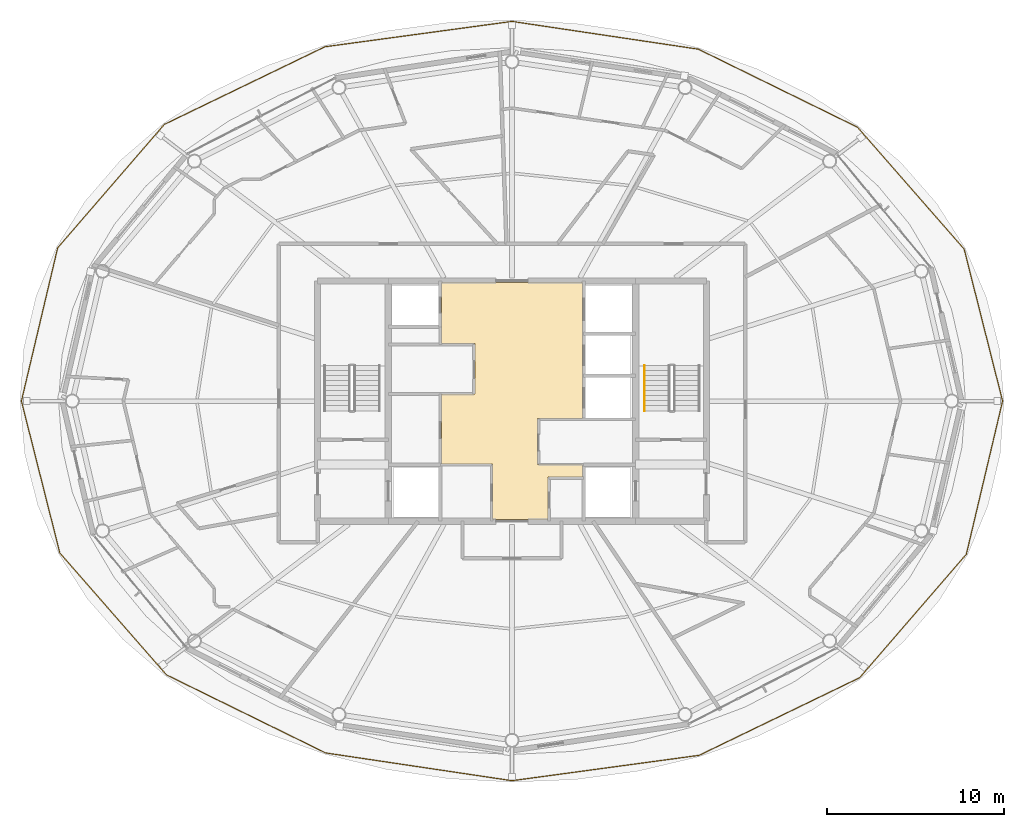
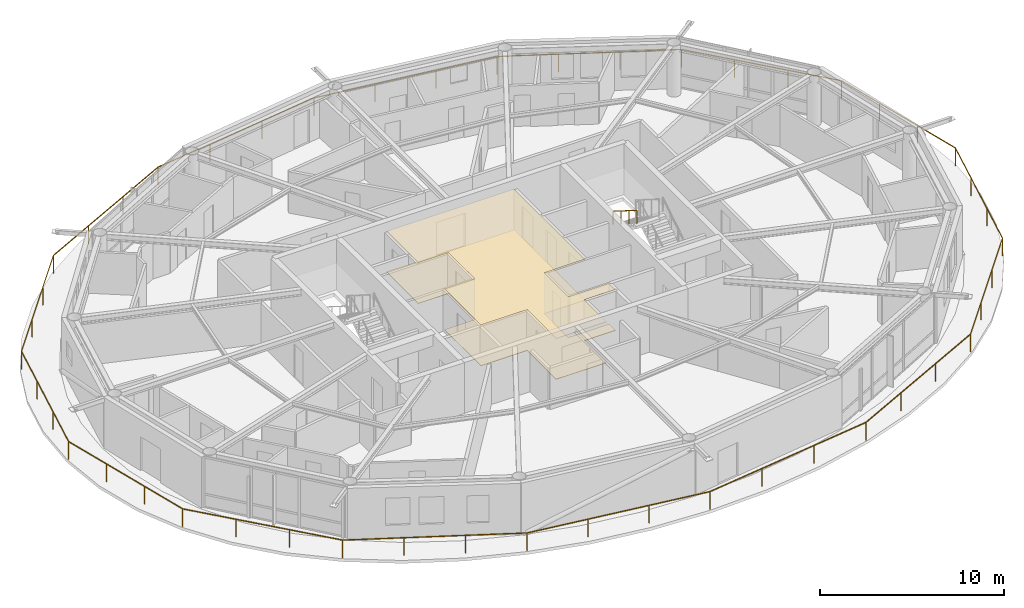
# One storey, part 21 of 22: 2 coverings, 2 railings.
"""IFC4 building model written with IfcOpenShell, lengths in metres."""

from ifc_helpers import new_model, si_unit, direction, frame, origin, origin_2d, place, context, subcontext, project, spatial, polyline, rectangle, outline, extrude, material, layer, layer_set, type_object, element, save


model = new_model("IFC4")

# Units and contexts
model_context = context("Model", 3, precision=1e-05, world=origin(), true_north=direction((0.0, 1.0)))
body_context = subcontext(model_context, "Body", "Model", "MODEL_VIEW")
ifc_project = project(units=[si_unit("LENGTHUNIT", "METRE"), si_unit("AREAUNIT", "SQUARE_METRE"), si_unit("VOLUMEUNIT", "CUBIC_METRE"), si_unit("PLANEANGLEUNIT", "RADIAN"), si_unit("MASSUNIT", "GRAM", prefix="KILO")], contexts=[model_context])

# Site, building, storey
site_placement = place(None, origin())
site = spatial("IfcSite", under=ifc_project, at=site_placement, CompositionType="ELEMENT")
building_placement = place(site_placement, origin())
building = spatial("IfcBuilding", under=site, at=building_placement, Name="Sarneth Arch Tower", CompositionType="ELEMENT")
storey_placement = place(building_placement, frame((0.0, 0.0, 287.39990234375)))
storey = spatial("IfcBuildingStorey", under=building, at=storey_placement, Name="L74", CompositionType="ELEMENT", Elevation=287.39990234375)

# Coverings
ifc_material_1 = material(Name="Perforated acoustic gypsum ceiling board")
ifc_layer_1 = layer(ifc_material_1, 0.02490234375)
ifc_layer_set_1 = layer_set([ifc_layer_1], Name="Perforated acoustic gypsum ceiling board")
covering_type_1 = type_object("IfcCoveringType", Name="COV-CEIL-GYP", PredefinedType="CEILING", material=ifc_layer_set_1)
covering_1_placement = place(storey_placement, frame((0.0, 0.0, 2.7001953125)))
element("IfcCovering", 1, at=covering_1_placement, inside=storey, type_object=covering_type_1, Name="L74 Lift lobby acoustic ceiling", PredefinedType="CEILING", context=body_context, shape_type="SweptSolid", body=[
    extrude(outline(polyline([(52.0, 41.0), (49.449951171875, 41.0), (49.449951171875, 38.39990234375), (52.0, 38.39990234375), (52.0, 37.699951171875), (50.050048828125, 37.699951171875), (50.050048828125, 35.300048828125), (46.89990234375, 35.300048828125), (46.89990234375, 38.449951171875), (44.0, 38.449951171875), (44.0, 42.39990234375), (45.89990234375, 42.39990234375), (45.89990234375, 45.25), (44.0, 45.25), (44.0, 48.699951171875), (52.0, 48.699951171875), (52.0, 41.0)])), origin(), (0.0, 0.0, 1.0), 0.02978515625),
])
ifc_material_2 = material(Name="Honed granite stone flooring", Category="masonry")
ifc_layer_2 = layer(ifc_material_2, 0.030029296875)
ifc_layer_set_2 = layer_set([ifc_layer_2], Name="Honed granite stone flooring")
covering_type_2 = type_object("IfcCoveringType", Name="COV-FLR-STONE", PredefinedType="FLOORING", material=ifc_layer_set_2)
covering_2_placement = place(storey_placement, origin())
element("IfcCovering", 2, at=covering_2_placement, inside=storey, type_object=covering_type_2, Name="L74 Lift lobby granite flooring", PredefinedType="FLOORING", context=body_context, shape_type="SweptSolid", body=[
    extrude(outline(polyline([(52.0, 41.0), (49.449951171875, 41.0), (49.449951171875, 38.39990234375), (52.0, 38.39990234375), (52.0, 37.699951171875), (50.050048828125, 37.699951171875), (50.050048828125, 35.300048828125), (46.89990234375, 35.300048828125), (46.89990234375, 38.449951171875), (44.0, 38.449951171875), (44.0, 42.39990234375), (45.89990234375, 42.39990234375), (45.89990234375, 45.25), (44.0, 45.25), (44.0, 48.699951171875), (52.0, 48.699951171875), (52.0, 41.0)])), origin(), (0.0, 0.0, 1.0), 0.030029296875),
])

# Railings
ifc_material_3 = material(Name="Laminated structural glass infill with Stainless Steel 316 top rail and posts", Category="steel")
railing_type_1 = type_object("IfcRailingType", Name="RAIL-BALC-1200", PredefinedType="BALUSTRADE", material=ifc_material_3)
railing_1_placement = place(storey_placement, frame((75.764892578125, 42.0, 0.0)))
element("IfcRailing", 3, at=railing_1_placement, inside=storey, type_object=railing_type_1, Name="L74 Helical balcony glass balustrade", PredefinedType="BALUSTRADE", context=body_context, shape_type="SweptSolid", body=[
    extrude(rectangle(XDim=0.048095703125, YDim=0.048095703125, at=origin_2d()), frame((0.0, 0.0, 1.17578125), z_axis=(-0.245260794692, 0.969457138087, 0.0), x_axis=(-0.969457138087, -0.245260794692, 0.0)), (0.0, 0.0, 1.0), 8.871337890625),
    extrude(rectangle(XDim=0.048095703125, YDim=0.048095703125, at=origin_2d()), frame((-2.17578125, 8.600341796875, 1.17578125), z_axis=(-0.658470652881, 0.752606403969, 0.0), x_axis=(-0.752606403969, -0.658470652881, 0.0)), (0.0, 0.0, 1.0), 9.162841796875),
    extrude(rectangle(XDim=0.048095703125, YDim=0.048095703125, at=origin_2d()), frame((-8.209228515625, 15.496337890625, 1.17578125), z_axis=(-0.897846224346, 0.440309161189, 0.0), x_axis=(-0.440309161189, -0.897846224346, 0.0)), (0.0, 0.0, 1.0), 10.033203125),
    extrude(rectangle(XDim=0.048095703125, YDim=0.048095703125, at=origin_2d()), frame((-17.217529296875, 19.9140625, 1.17578125), z_axis=(-0.989077966916, 0.147393267696, 0.0), x_axis=(-0.147393267696, -0.989077966916, 0.0)), (0.0, 0.0, 1.0), 10.663818359375),
    extrude(rectangle(XDim=0.048095703125, YDim=0.048095703125, at=origin_2d()), frame((-27.764892578125, 21.48583984375, 1.17578125), z_axis=(-0.990927499257, -0.134397511945, 0.0), x_axis=(0.134397511945, -0.990927499257, 0.0)), (0.0, 0.0, 1.0), 10.686767578125),
    extrude(rectangle(XDim=0.048095703125, YDim=0.048095703125, at=origin_2d()), frame((-38.354736328125, 20.049560546875, 1.17578125), z_axis=(-0.90031277699, -0.435243499191, 0.0), x_axis=(0.435243499191, -0.90031277699, 0.0)), (0.0, 0.0, 1.0), 10.0927734375),
    extrude(rectangle(XDim=0.048095703125, YDim=0.048095703125, at=origin_2d()), frame((-47.44140625, 15.65673828125, 1.17578125), z_axis=(-0.653765108362, -0.756697550603, 0.0), x_axis=(0.756697550603, -0.653765108362, 0.0)), (0.0, 0.0, 1.0), 9.233642578125),
    extrude(rectangle(XDim=0.048095703125, YDim=0.048095703125, at=origin_2d()), frame((-53.47802734375, 8.669677734375, 1.17578125), z_axis=(-0.230297719561, -0.973120218865, 0.0), x_axis=(0.973120218865, -0.230297719561, 0.0)), (0.0, 0.0, 1.0), 8.9091796875),
    extrude(rectangle(XDim=0.048095703125, YDim=0.048095703125, at=origin_2d()), frame((-55.52978515625, 0.0, 1.17578125), z_axis=(0.245260794692, -0.969457138087, 0.0), x_axis=(0.969457138087, 0.245260794692, 0.0)), (0.0, 0.0, 1.0), 8.871337890625),
    extrude(rectangle(XDim=0.048095703125, YDim=0.048095703125, at=origin_2d()), frame((-53.35400390625, -8.600341796875, 1.17578125), z_axis=(0.658470652881, -0.752606403969, 0.0), x_axis=(0.752606403969, 0.658470652881, 0.0)), (0.0, 0.0, 1.0), 9.162841796875),
    extrude(rectangle(XDim=0.048095703125, YDim=0.048095703125, at=origin_2d()), frame((-47.320556640625, -15.496337890625, 1.17578125), z_axis=(0.897846224346, -0.440309161189, 0.0), x_axis=(0.440309161189, 0.897846224346, 0.0)), (0.0, 0.0, 1.0), 10.033203125),
    extrude(rectangle(XDim=0.048095703125, YDim=0.048095703125, at=origin_2d()), frame((-38.312255859375, -19.9140625, 1.17578125), z_axis=(0.989077966916, -0.147393267696, 0.0), x_axis=(0.147393267696, 0.989077966916, 0.0)), (0.0, 0.0, 1.0), 10.663818359375),
    extrude(rectangle(XDim=0.048095703125, YDim=0.048095703125, at=origin_2d()), frame((-27.764892578125, -21.48583984375, 1.17578125), z_axis=(0.990927499257, 0.134397511945, 0.0), x_axis=(-0.134397511945, 0.990927499257, 0.0)), (0.0, 0.0, 1.0), 10.686767578125),
    extrude(rectangle(XDim=0.048095703125, YDim=0.048095703125, at=origin_2d()), frame((-17.175048828125, -20.049560546875, 1.17578125), z_axis=(0.90031277699, 0.435243499191, 0.0), x_axis=(-0.435243499191, 0.90031277699, 0.0)), (0.0, 0.0, 1.0), 10.0927734375),
    extrude(rectangle(XDim=0.048095703125, YDim=0.048095703125, at=origin_2d()), frame((-8.08837890625, -15.65673828125, 1.17578125), z_axis=(0.653765108362, 0.756697550603, 0.0), x_axis=(-0.756697550603, 0.653765108362, 0.0)), (0.0, 0.0, 1.0), 9.233642578125),
    extrude(rectangle(XDim=0.048095703125, YDim=0.048095703125, at=origin_2d()), frame((-2.0517578125, -8.669677734375, 1.17578125), z_axis=(0.230297719561, 0.973120218865, 0.0), x_axis=(-0.973120218865, 0.230297719561, 0.0)), (0.0, 0.0, 1.0), 8.9091796875),
    extrude(rectangle(XDim=0.0419921875, YDim=0.0419921875, at=origin_2d()), origin(), (0.0, 0.0, 1.0), 1.15185546875),
    extrude(rectangle(XDim=0.0419921875, YDim=0.0419921875, at=origin_2d()), frame((-0.725341796875, 2.86669921875, 0.0)), (0.0, 0.0, 1.0), 1.15185546875),
    extrude(rectangle(XDim=0.0419921875, YDim=0.0419921875, at=origin_2d()), frame((-1.450439453125, 5.733642578125, 0.0)), (0.0, 0.0, 1.0), 1.15185546875),
    extrude(rectangle(XDim=0.0419921875, YDim=0.0419921875, at=origin_2d()), frame((-2.17578125, 8.600341796875, 0.0)), (0.0, 0.0, 1.0), 1.15185546875),
    extrude(rectangle(XDim=0.0419921875, YDim=0.0419921875, at=origin_2d()), frame((-4.18701171875, 10.89892578125, 0.0)), (0.0, 0.0, 1.0), 1.15185546875),
    extrude(rectangle(XDim=0.0419921875, YDim=0.0419921875, at=origin_2d()), frame((-6.197998046875, 13.19775390625, 0.0)), (0.0, 0.0, 1.0), 1.15185546875),
    extrude(rectangle(XDim=0.0419921875, YDim=0.0419921875, at=origin_2d()), frame((-8.209228515625, 15.496337890625, 0.0)), (0.0, 0.0, 1.0), 1.15185546875),
    extrude(rectangle(XDim=0.0419921875, YDim=0.0419921875, at=origin_2d()), frame((-11.2119140625, 16.968994140625, 0.0)), (0.0, 0.0, 1.0), 1.15185546875),
    extrude(rectangle(XDim=0.0419921875, YDim=0.0419921875, at=origin_2d()), frame((-14.21484375, 18.44140625, 0.0)), (0.0, 0.0, 1.0), 1.15185546875),
    extrude(rectangle(XDim=0.0419921875, YDim=0.0419921875, at=origin_2d()), frame((-17.217529296875, 19.9140625, 0.0)), (0.0, 0.0, 1.0), 1.15185546875),
    extrude(rectangle(XDim=0.0419921875, YDim=0.0419921875, at=origin_2d()), frame((-20.7333984375, 20.43798828125, 0.0)), (0.0, 0.0, 1.0), 1.15185546875),
    extrude(rectangle(XDim=0.0419921875, YDim=0.0419921875, at=origin_2d()), frame((-24.2490234375, 20.9619140625, 0.0)), (0.0, 0.0, 1.0), 1.15185546875),
    extrude(rectangle(XDim=0.0419921875, YDim=0.0419921875, at=origin_2d()), frame((-27.764892578125, 21.48583984375, 0.0)), (0.0, 0.0, 1.0), 1.15185546875),
    extrude(rectangle(XDim=0.0419921875, YDim=0.0419921875, at=origin_2d()), frame((-31.294921875, 21.007080078125, 0.0)), (0.0, 0.0, 1.0), 1.15185546875),
    extrude(rectangle(XDim=0.0419921875, YDim=0.0419921875, at=origin_2d()), frame((-34.82470703125, 20.5283203125, 0.0)), (0.0, 0.0, 1.0), 1.15185546875),
    extrude(rectangle(XDim=0.0419921875, YDim=0.0419921875, at=origin_2d()), frame((-38.354736328125, 20.049560546875, 0.0)), (0.0, 0.0, 1.0), 1.15185546875),
    extrude(rectangle(XDim=0.0419921875, YDim=0.0419921875, at=origin_2d()), frame((-41.383544921875, 18.585205078125, 0.0)), (0.0, 0.0, 1.0), 1.15185546875),
    extrude(rectangle(XDim=0.0419921875, YDim=0.0419921875, at=origin_2d()), frame((-44.41259765625, 17.12109375, 0.0)), (0.0, 0.0, 1.0), 1.15185546875),
    extrude(rectangle(XDim=0.0419921875, YDim=0.0419921875, at=origin_2d()), frame((-47.44140625, 15.65673828125, 0.0)), (0.0, 0.0, 1.0), 1.15185546875),
    extrude(rectangle(XDim=0.0419921875, YDim=0.0419921875, at=origin_2d()), frame((-49.45361328125, 13.32763671875, 0.0)), (0.0, 0.0, 1.0), 1.15185546875),
    extrude(rectangle(XDim=0.0419921875, YDim=0.0419921875, at=origin_2d()), frame((-51.4658203125, 10.998779296875, 0.0)), (0.0, 0.0, 1.0), 1.15185546875),
    extrude(rectangle(XDim=0.0419921875, YDim=0.0419921875, at=origin_2d()), frame((-53.47802734375, 8.669677734375, 0.0)), (0.0, 0.0, 1.0), 1.15185546875),
    extrude(rectangle(XDim=0.0419921875, YDim=0.0419921875, at=origin_2d()), frame((-54.161865234375, 5.77978515625, 0.0)), (0.0, 0.0, 1.0), 1.15185546875),
    extrude(rectangle(XDim=0.0419921875, YDim=0.0419921875, at=origin_2d()), frame((-54.845947265625, 2.889892578125, 0.0)), (0.0, 0.0, 1.0), 1.15185546875),
    extrude(rectangle(XDim=0.0419921875, YDim=0.0419921875, at=origin_2d()), frame((-55.52978515625, 0.0, 0.0)), (0.0, 0.0, 1.0), 1.15185546875),
    extrude(rectangle(XDim=0.0419921875, YDim=0.0419921875, at=origin_2d()), frame((-54.804443359375, -2.86669921875, 0.0)), (0.0, 0.0, 1.0), 1.15185546875),
    extrude(rectangle(XDim=0.0419921875, YDim=0.0419921875, at=origin_2d()), frame((-54.079345703125, -5.733642578125, 0.0)), (0.0, 0.0, 1.0), 1.15185546875),
    extrude(rectangle(XDim=0.0419921875, YDim=0.0419921875, at=origin_2d()), frame((-53.35400390625, -8.600341796875, 0.0)), (0.0, 0.0, 1.0), 1.15185546875),
    extrude(rectangle(XDim=0.0419921875, YDim=0.0419921875, at=origin_2d()), frame((-51.3427734375, -10.89892578125, 0.0)), (0.0, 0.0, 1.0), 1.15185546875),
    extrude(rectangle(XDim=0.0419921875, YDim=0.0419921875, at=origin_2d()), frame((-49.331787109375, -13.19775390625, 0.0)), (0.0, 0.0, 1.0), 1.15185546875),
    extrude(rectangle(XDim=0.0419921875, YDim=0.0419921875, at=origin_2d()), frame((-47.320556640625, -15.496337890625, 0.0)), (0.0, 0.0, 1.0), 1.15185546875),
    extrude(rectangle(XDim=0.0419921875, YDim=0.0419921875, at=origin_2d()), frame((-44.31787109375, -16.968994140625, 0.0)), (0.0, 0.0, 1.0), 1.15185546875),
    extrude(rectangle(XDim=0.0419921875, YDim=0.0419921875, at=origin_2d()), frame((-41.31494140625, -18.44140625, 0.0)), (0.0, 0.0, 1.0), 1.15185546875),
    extrude(rectangle(XDim=0.0419921875, YDim=0.0419921875, at=origin_2d()), frame((-38.312255859375, -19.9140625, 0.0)), (0.0, 0.0, 1.0), 1.15185546875),
    extrude(rectangle(XDim=0.0419921875, YDim=0.0419921875, at=origin_2d()), frame((-34.79638671875, -20.43798828125, 0.0)), (0.0, 0.0, 1.0), 1.15185546875),
    extrude(rectangle(XDim=0.0419921875, YDim=0.0419921875, at=origin_2d()), frame((-31.28076171875, -20.9619140625, 0.0)), (0.0, 0.0, 1.0), 1.15185546875),
    extrude(rectangle(XDim=0.0419921875, YDim=0.0419921875, at=origin_2d()), frame((-27.764892578125, -21.48583984375, 0.0)), (0.0, 0.0, 1.0), 1.15185546875),
    extrude(rectangle(XDim=0.0419921875, YDim=0.0419921875, at=origin_2d()), frame((-24.23486328125, -21.007080078125, 0.0)), (0.0, 0.0, 1.0), 1.15185546875),
    extrude(rectangle(XDim=0.0419921875, YDim=0.0419921875, at=origin_2d()), frame((-20.705078125, -20.5283203125, 0.0)), (0.0, 0.0, 1.0), 1.15185546875),
    extrude(rectangle(XDim=0.0419921875, YDim=0.0419921875, at=origin_2d()), frame((-17.175048828125, -20.049560546875, 0.0)), (0.0, 0.0, 1.0), 1.15185546875),
    extrude(rectangle(XDim=0.0419921875, YDim=0.0419921875, at=origin_2d()), frame((-14.146240234375, -18.585205078125, 0.0)), (0.0, 0.0, 1.0), 1.15185546875),
    extrude(rectangle(XDim=0.0419921875, YDim=0.0419921875, at=origin_2d()), frame((-11.1171875, -17.12109375, 0.0)), (0.0, 0.0, 1.0), 1.15185546875),
    extrude(rectangle(XDim=0.0419921875, YDim=0.0419921875, at=origin_2d()), frame((-8.08837890625, -15.65673828125, 0.0)), (0.0, 0.0, 1.0), 1.15185546875),
    extrude(rectangle(XDim=0.0419921875, YDim=0.0419921875, at=origin_2d()), frame((-6.076171875, -13.32763671875, 0.0)), (0.0, 0.0, 1.0), 1.15185546875),
    extrude(rectangle(XDim=0.0419921875, YDim=0.0419921875, at=origin_2d()), frame((-4.06396484375, -10.998779296875, 0.0)), (0.0, 0.0, 1.0), 1.15185546875),
    extrude(rectangle(XDim=0.0419921875, YDim=0.0419921875, at=origin_2d()), frame((-2.0517578125, -8.669677734375, 0.0)), (0.0, 0.0, 1.0), 1.15185546875),
    extrude(rectangle(XDim=0.0419921875, YDim=0.0419921875, at=origin_2d()), frame((-1.367919921875, -5.77978515625, 0.0)), (0.0, 0.0, 1.0), 1.15185546875),
    extrude(rectangle(XDim=0.0419921875, YDim=0.0419921875, at=origin_2d()), frame((-0.683837890625, -2.889892578125, 0.0)), (0.0, 0.0, 1.0), 1.15185546875),
])
ifc_material_4 = material(Name="Brushed Stainless Steel 304 tubular handrail", Category="steel")
railing_type_2 = type_object("IfcRailingType", Name="RAIL-HANDRAIL-900", PredefinedType="HANDRAIL", material=ifc_material_4)
railing_2_placement = place(storey_placement, frame((55.5, 44.014892578125, 1.97998046875)))
element("IfcRailing", 4, at=railing_2_placement, inside=storey, type_object=railing_type_2, Name="L74 ST-2 stair handrail 2", PredefinedType="HANDRAIL", context=body_context, shape_type="SweptSolid", body=[
    extrude(rectangle(XDim=0.048095703125, YDim=0.048095703125, at=origin_2d()), frame((0.0, 0.0, 0.8759765625), z_axis=(0.0, -0.845465955043, 0.534029323973), x_axis=(1.0, 0.0, 0.0)), (0.0, 0.0, 1.0), 3.03369140625),
    extrude(rectangle(XDim=0.0419921875, YDim=0.0419921875, at=origin_2d()), origin(), (0.0, 0.0, 1.0), 0.851806640625),
    extrude(rectangle(XDim=0.0419921875, YDim=0.0419921875, at=origin_2d()), frame((0.0, -0.85498046875, 0.5400390625)), (0.0, 0.0, 1.0), 0.851806640625),
    extrude(rectangle(XDim=0.0419921875, YDim=0.0419921875, at=origin_2d()), frame((0.0, -1.7099609375, 1.080078125)), (0.0, 0.0, 1.0), 0.851806640625),
    extrude(rectangle(XDim=0.0419921875, YDim=0.0419921875, at=origin_2d()), frame((0.0, -2.56494140625, 1.6201171875)), (0.0, 0.0, 1.0), 0.851806640625),
])

save(model, "model.ifc")
